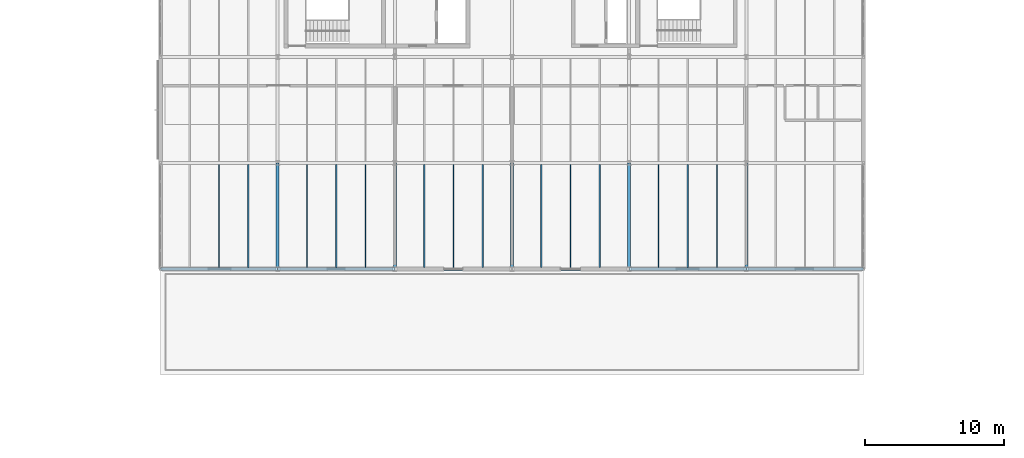
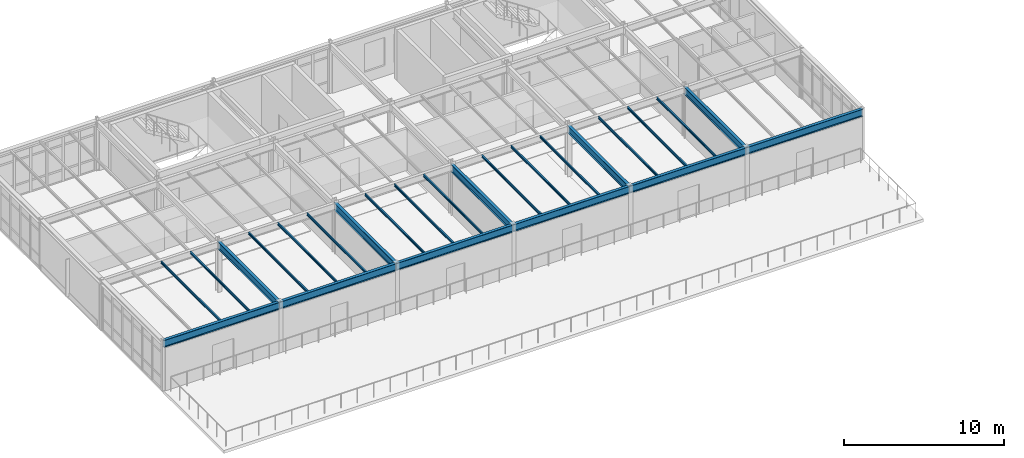
# One storey, part 17 of 65: 25 beams.
"""IFC4 building model written with IfcOpenShell, lengths in metres."""

from ifc_helpers import new_model, si_unit, direction, frame, origin, origin_2d, place, context, subcontext, project, spatial, i_section, extrude, material, material_profile, profile_set, type_object, element, save


model = new_model("IFC4")

# Units and contexts
model_context = context("Model", 3, precision=1e-05, world=origin(), true_north=direction((0.0, 1.0)))
body_context = subcontext(model_context, "Body", "Model", "MODEL_VIEW")
ifc_project = project(units=[si_unit("LENGTHUNIT", "METRE"), si_unit("AREAUNIT", "SQUARE_METRE"), si_unit("VOLUMEUNIT", "CUBIC_METRE"), si_unit("PLANEANGLEUNIT", "RADIAN"), si_unit("MASSUNIT", "GRAM", prefix="KILO")], contexts=[model_context])

# Site, building, storey
site_placement = place(None, origin())
site = spatial("IfcSite", under=ifc_project, at=site_placement, CompositionType="ELEMENT")
building_placement = place(site_placement, origin())
building = spatial("IfcBuilding", under=site, at=building_placement, Name="Montecoro Central Library", CompositionType="ELEMENT")
storey_placement = place(building_placement, frame((0.0, 0.0, 17.340087890625)))
storey = spatial("IfcBuildingStorey", under=building, at=storey_placement, Name="L04", CompositionType="ELEMENT", Elevation=17.340087890625)

# Beams
ifc_material_1 = material(Name="Steel S355J2", Category="steel")
ifc_material_profile_1 = material_profile(ifc_material_1, i_section(OverallWidth=0.2099609375, OverallDepth=0.550048828125, WebThickness=0.010986328125, FlangeThickness=0.01708984375, at=origin_2d()), Name="IPE 550")
ifc_profile_set_1 = profile_set([ifc_material_profile_1], Name="Steel S355J2")
beam_type_1 = type_object("IfcBeamType", Name="BM-G-IPE550", PredefinedType="USERDEFINED", material=ifc_profile_set_1)
beam_1_placement = place(storey_placement, frame((66.405029296875, 96.199951171875, 3.5498046875), z_axis=(1.0, 0.0, 0.0), x_axis=(0.0, 1.0, 0.0)))
element("IfcBeam", 1, at=beam_1_placement, inside=storey, type_object=beam_type_1, Name="V2-L04-BX-910-N", ObjectType="GIRDER", PredefinedType="USERDEFINED", context=body_context, shape_type="SweptSolid", body=[
    extrude(i_section(OverallWidth=0.2099609375, OverallDepth=0.550048828125, WebThickness=0.010986328125, FlangeThickness=0.01708984375, at=origin_2d()), origin(), (0.0, 0.0, 1.0), 8.389892578125),
])
beam_2_placement = place(storey_placement, frame((74.804931640625, 96.199951171875, 3.5498046875), z_axis=(1.0, 0.0, 0.0), x_axis=(0.0, 1.0, 0.0)))
element("IfcBeam", 2, at=beam_2_placement, inside=storey, type_object=beam_type_1, Name="V2-L04-BX-1011-N", ObjectType="GIRDER", PredefinedType="USERDEFINED", context=body_context, shape_type="SweptSolid", body=[
    extrude(i_section(OverallWidth=0.2099609375, OverallDepth=0.550048828125, WebThickness=0.010986328125, FlangeThickness=0.01708984375, at=origin_2d()), origin(), (0.0, 0.0, 1.0), 8.39013671875),
])
beam_3_placement = place(storey_placement, frame((83.205078125, 96.199951171875, 3.5498046875), z_axis=(1.0, 0.0, 0.0), x_axis=(0.0, 1.0, 0.0)))
element("IfcBeam", 3, at=beam_3_placement, inside=storey, type_object=beam_type_1, Name="V2-L04-BX-1112-N", ObjectType="GIRDER", PredefinedType="USERDEFINED", context=body_context, shape_type="SweptSolid", body=[
    extrude(i_section(OverallWidth=0.2099609375, OverallDepth=0.550048828125, WebThickness=0.010986328125, FlangeThickness=0.01708984375, at=origin_2d()), origin(), (0.0, 0.0, 1.0), 8.389892578125),
])
for number, where, z_axis, x_axis, name in (
    (4, (91.60498046875, 96.199951171875, 3.5498046875), (1.0, 0.0, 0.0), (0.0, 1.0, 0.0), "V2-L04-BX-1213-N"),
    (5, (100.0048828125, 96.199951171875, 3.5498046875), (1.0, 0.0, 0.0), (0.0, 1.0, 0.0), "V2-L04-BX-1314-N"),
):
    element("IfcBeam", number, at=place(storey_placement, frame(where, z_axis=z_axis, x_axis=x_axis)), inside=storey, type_object=beam_type_1, Name=name, ObjectType="GIRDER", PredefinedType="USERDEFINED", context=body_context, shape_type="SweptSolid", body=[
        extrude(i_section(OverallWidth=0.2099609375, OverallDepth=0.550048828125, WebThickness=0.010986328125, FlangeThickness=0.01708984375, at=origin_2d()), origin(), (0.0, 0.0, 1.0), 8.39013671875),
    ])
beam_4_placement = place(storey_placement, frame((108.405029296875, 96.199951171875, 3.5498046875), z_axis=(1.0, 0.0, 0.0), x_axis=(0.0, 1.0, 0.0)))
element("IfcBeam", 6, at=beam_4_placement, inside=storey, type_object=beam_type_1, Name="V2-L04-BX-1415-N", ObjectType="GIRDER", PredefinedType="USERDEFINED", context=body_context, shape_type="SweptSolid", body=[
    extrude(i_section(OverallWidth=0.2099609375, OverallDepth=0.550048828125, WebThickness=0.010986328125, FlangeThickness=0.01708984375, at=origin_2d()), origin(), (0.0, 0.0, 1.0), 8.389892578125),
])
for number, where, z_axis, x_axis, name in (
    (7, (74.800048828125, 96.205078125, 3.5498046875), (0.0, 1.0, 0.0), (-1.0, 0.0, 0.0), "V2-L04-BY-10-NP"),
    (8, (83.199951171875, 96.205078125, 3.5498046875), (0.0, 1.0, 0.0), (-1.0, 0.0, 0.0), "V2-L04-BY-11-NP"),
    (9, (91.60009765625, 96.205078125, 3.5498046875), (0.0, 1.0, 0.0), (-1.0, 0.0, 0.0), "V2-L04-BY-12-NP"),
    (10, (100.0, 96.205078125, 3.5498046875), (0.0, 1.0, 0.0), (-1.0, 0.0, 0.0), "V2-L04-BY-13-NP"),
    (11, (108.39990234375, 96.205078125, 3.5498046875), (0.0, 1.0, 0.0), (-1.0, 0.0, 0.0), "V2-L04-BY-14-NP"),
):
    element("IfcBeam", number, at=place(storey_placement, frame(where, z_axis=z_axis, x_axis=x_axis)), inside=storey, type_object=beam_type_1, Name=name, ObjectType="GIRDER", PredefinedType="USERDEFINED", context=body_context, shape_type="SweptSolid", body=[
        extrude(i_section(OverallWidth=0.2099609375, OverallDepth=0.550048828125, WebThickness=0.010986328125, FlangeThickness=0.01708984375, at=origin_2d()), origin(), (0.0, 0.0, 1.0), 7.58984375),
    ])
ifc_material_2 = material(Name="Steel S355", Category="steel")
ifc_material_profile_2 = material_profile(ifc_material_2, i_section(OverallWidth=0.091064453125, OverallDepth=0.179931640625, WebThickness=0.00537109375, FlangeThickness=0.008056640625, at=origin_2d()), Name="IPE 180")
ifc_profile_set_2 = profile_set([ifc_material_profile_2], Name="Steel S355")
beam_type_2 = type_object("IfcBeamType", Name="BM-J-IPE180", PredefinedType="JOIST", material=ifc_profile_set_2)
for number, where, z_axis, x_axis, name in (
    (12, (70.60009765625, 96.302001953125, 3.73486328125), (0.0, 1.0, 0.0), (-1.0, 0.0, 0.0), "V2-L04-JS-910-NP-2"),
    (13, (72.699951171875, 96.302001953125, 3.73486328125), (0.0, 1.0, 0.0), (-1.0, 0.0, 0.0), "V2-L04-JS-910-NP-3"),
    (14, (76.89990234375, 96.302001953125, 3.73486328125), (0.0, 1.0, 0.0), (-1.0, 0.0, 0.0), "V2-L04-JS-1011-NP-1"),
    (15, (79.0, 96.302001953125, 3.73486328125), (0.0, 1.0, 0.0), (-1.0, 0.0, 0.0), "V2-L04-JS-1011-NP-2"),
    (16, (81.10009765625, 96.302001953125, 3.73486328125), (0.0, 1.0, 0.0), (-1.0, 0.0, 0.0), "V2-L04-JS-1011-NP-3"),
    (17, (85.300048828125, 96.302001953125, 3.73486328125), (0.0, 1.0, 0.0), (-1.0, 0.0, 0.0), "V2-L04-JS-1112-NP-1"),
    (18, (87.39990234375, 96.302001953125, 3.73486328125), (0.0, 1.0, 0.0), (-1.0, 0.0, 0.0), "V2-L04-JS-1112-NP-2"),
    (19, (89.5, 96.302001953125, 3.73486328125), (0.0, 1.0, 0.0), (-1.0, 0.0, 0.0), "V2-L04-JS-1112-NP-3"),
    (20, (93.699951171875, 96.302001953125, 3.73486328125), (0.0, 1.0, 0.0), (-1.0, 0.0, 0.0), "V2-L04-JS-1213-NP-1"),
    (21, (95.800048828125, 96.302001953125, 3.73486328125), (0.0, 1.0, 0.0), (-1.0, 0.0, 0.0), "V2-L04-JS-1213-NP-2"),
    (22, (97.89990234375, 96.302001953125, 3.73486328125), (0.0, 1.0, 0.0), (-1.0, 0.0, 0.0), "V2-L04-JS-1213-NP-3"),
    (23, (102.10009765625, 96.302001953125, 3.73486328125), (0.0, 1.0, 0.0), (-1.0, 0.0, 0.0), "V2-L04-JS-1314-NP-1"),
    (24, (104.199951171875, 96.302001953125, 3.73486328125), (0.0, 1.0, 0.0), (-1.0, 0.0, 0.0), "V2-L04-JS-1314-NP-2"),
    (25, (106.300048828125, 96.302001953125, 3.73486328125), (0.0, 1.0, 0.0), (-1.0, 0.0, 0.0), "V2-L04-JS-1314-NP-3"),
):
    element("IfcBeam", number, at=place(storey_placement, frame(where, z_axis=z_axis, x_axis=x_axis)), inside=storey, type_object=beam_type_2, Name=name, PredefinedType="JOIST", context=body_context, shape_type="SweptSolid", body=[
        extrude(i_section(OverallWidth=0.091064453125, OverallDepth=0.179931640625, WebThickness=0.00537109375, FlangeThickness=0.008056640625, at=origin_2d()), origin(), (0.0, 0.0, 1.0), 7.39599609375),
    ])

save(model, "model.ifc")
